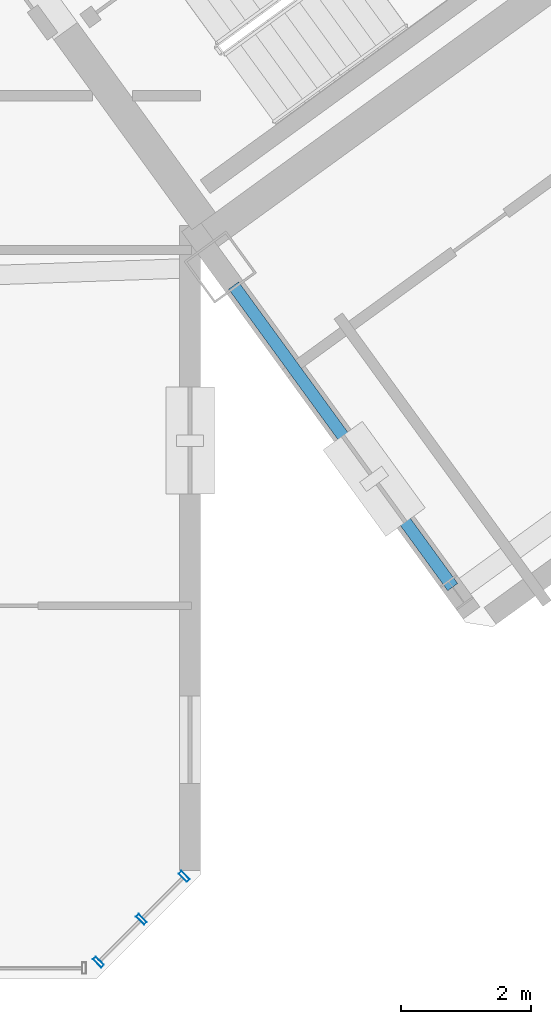
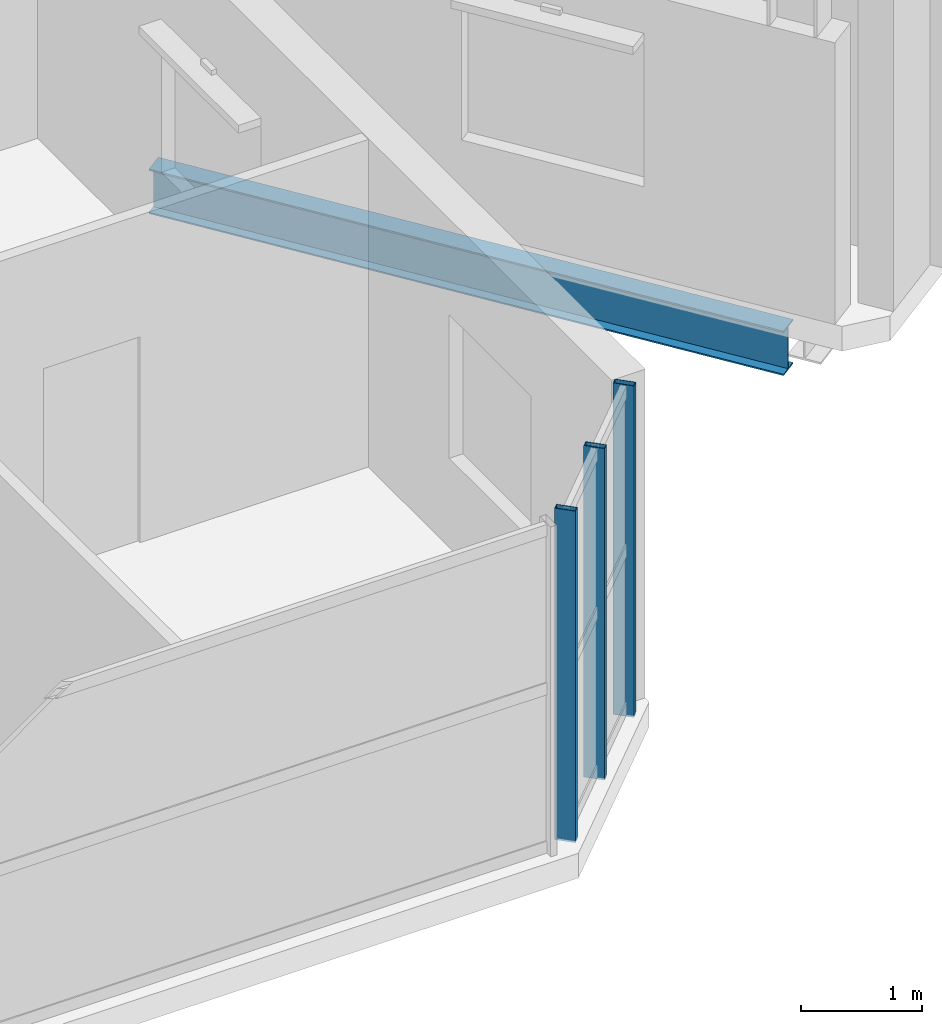
# One storey, part 10 of 27: 3 members, 1 beam, 1 element without a shape of its own.
"""IFC4 building model written with IfcOpenShell, lengths in metres."""

from ifc_helpers import new_model, si_unit, direction, frame, origin, origin_2d, place, context, subcontext, project, spatial, hollow_rectangle, i_section, extrude, source, transform, mapped, material, material_profile, profile_set, type_object, element, aggregate, save


model = new_model("IFC4")

# Units and contexts
model_context = context("Model", 3, precision=1e-05, world=origin(), true_north=direction((0.0, 1.0)))
body_context = subcontext(model_context, "Body", "Model", "MODEL_VIEW")
ifc_project = project(units=[si_unit("LENGTHUNIT", "METRE"), si_unit("AREAUNIT", "SQUARE_METRE"), si_unit("VOLUMEUNIT", "CUBIC_METRE"), si_unit("PLANEANGLEUNIT", "RADIAN"), si_unit("MASSUNIT", "GRAM", prefix="KILO")], contexts=[model_context])

# Site, building, storey
site_placement = place(None, origin())
site = spatial("IfcSite", under=ifc_project, at=site_placement, CompositionType="ELEMENT")
building_placement = place(site_placement, origin())
building = spatial("IfcBuilding", under=site, at=building_placement, Name="Tlacorven Tower", CompositionType="ELEMENT")
storey_placement = place(building_placement, frame((0.0, 0.0, 242.10009765625)))
storey = spatial("IfcBuildingStorey", under=building, at=storey_placement, Name="L61", CompositionType="ELEMENT", Elevation=242.10009765625)

# Beam
ifc_material_1 = material(Name="Steel S355J2", Category="steel")
ifc_material_profile_1 = material_profile(ifc_material_1, i_section(OverallWidth=0.18994140625, OverallDepth=0.449951171875, WebThickness=0.009521484375, FlangeThickness=0.0146484375, at=origin_2d()), Name="IPE 450")
ifc_profile_set_1 = profile_set([ifc_material_profile_1], Name="Steel S355J2")
beam_type = type_object("IfcBeamType", Name="BM-TWR-450", PredefinedType="BEAM", material=ifc_profile_set_1)
shared_shape_1 = source(origin(), body_context, "Body", "SweptSolid", [
    extrude(i_section(OverallWidth=0.18994140625, OverallDepth=0.449951171875, WebThickness=0.009521484375, FlangeThickness=0.0146484375, at=origin_2d()), origin(), (0.0, 0.0, 1.0), 5.75),
])
beam_placement = place(storey_placement, frame((56.291015625, 7.83837890625, -0.47509765625), z_axis=(-0.587797998499, 0.80900773356, 0.0), x_axis=(-0.80900773356, -0.587797998499, 0.0)))
element("IfcBeam", 1, at=beam_placement, inside=storey, type_object=beam_type, Name="L61 beam BM-L61-ET1-1", PredefinedType="BEAM", context=body_context, shape_type="MappedRepresentation", body=[
    mapped(shared_shape_1, transform((0.0, 0.0, 0.0), scale=1.0)),
])

# Curtain wall, members
ifc_material_2 = material(Name="Dark solar low-E double glazing in aluminium frame", Category="aluminium")
curtain_wall_type = type_object("IfcCurtainWallType", Name="CW-TWR-HIGH", PredefinedType="USERDEFINED", material=ifc_material_2)
curtain_wall_placement = place(storey_placement, origin())
curtain_wall = element("IfcCurtainWall", 2, at=curtain_wall_placement, inside=storey, type_object=curtain_wall_type, Name="L61 CW-TWR-HIGH Curtain Wall 278", ObjectType="UNITISED CURTAIN WALL", PredefinedType="USERDEFINED")
ifc_material_3 = material(Name="Aluminium 6063-T6 anodised", Category="aluminium")
ifc_material_profile_2 = material_profile(ifc_material_3, hollow_rectangle(XDim=0.06005859375, YDim=0.179931640625, WallThickness=0.00390625, at=origin_2d()), Name="ALU MULLION 60X180")
ifc_profile_set_2 = profile_set([ifc_material_profile_2], Name="Aluminium 6063-T6 anodised")
member_type = type_object("IfcMemberType", Name="CWM-03", PredefinedType="MULLION", material=ifc_profile_set_2)
shared_shape_2 = source(origin(), body_context, "Body", "SweptSolid", [
    extrude(hollow_rectangle(XDim=0.06005859375, YDim=0.179931640625, WallThickness=0.00390625, at=origin_2d()), origin(), (0.0, 0.0, 1.0), 3.349853515625),
])
member_1_placement = place(storey_placement, frame((52.148193359375, 3.374267578125, -0.02001953125), z_axis=(0.0, 0.0, 1.0), x_axis=(-0.707106781187, -0.707106781187, 0.0)))
member_1 = element("IfcMember", 3, at=member_1_placement, type_object=member_type, Name="CW-L61-278 Mullion 1", PredefinedType="MULLION", context=body_context, shape_type="MappedRepresentation", body=[
    mapped(shared_shape_2, transform((0.0, 0.0, 0.0), scale=1.0)),
])
member_2_placement = place(storey_placement, frame((51.48681640625, 2.713134765625, -0.02001953125), z_axis=(0.0, 0.0, 1.0), x_axis=(-0.707106781187, -0.707106781187, 0.0)))
member_2 = element("IfcMember", 4, at=member_2_placement, type_object=member_type, Name="CW-L61-278 Mullion 2", PredefinedType="MULLION", context=body_context, shape_type="MappedRepresentation", body=[
    mapped(shared_shape_2, transform((0.0, 0.0, 0.0), scale=1.0)),
])
member_3_placement = place(storey_placement, frame((50.82568359375, 2.052001953125, -0.02001953125), z_axis=(0.0, 0.0, 1.0), x_axis=(-0.707106781187, -0.707106781187, 0.0)))
member_3 = element("IfcMember", 5, at=member_3_placement, type_object=member_type, Name="CW-L61-278 Mullion 3", PredefinedType="MULLION", context=body_context, shape_type="MappedRepresentation", body=[
    mapped(shared_shape_2, transform((0.0, 0.0, 0.0), scale=1.0)),
])
aggregate(curtain_wall, [member_1, member_2, member_3])

save(model, "model.ifc")
